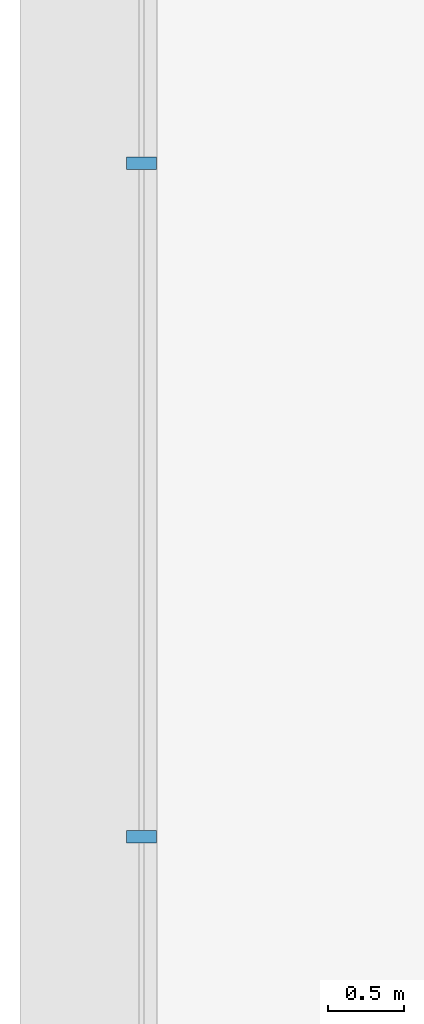
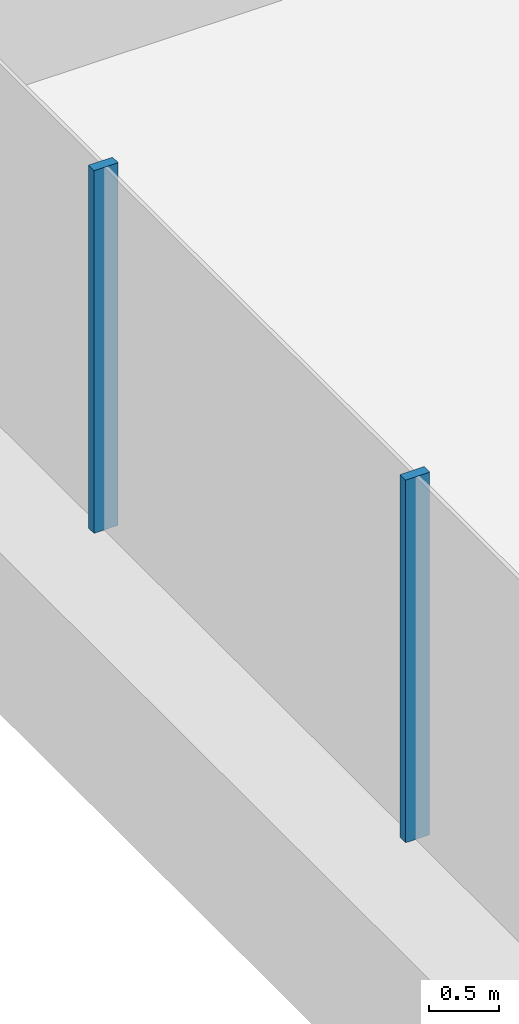
# One storey, part 6 of 38: 2 members, 1 element without a shape of its own.
"""IFC4 building model written with IfcOpenShell, lengths in metres."""

from ifc_helpers import new_model, si_unit, direction, frame, origin, origin_2d, place, context, subcontext, project, spatial, rectangle, extrude, material, layer, layer_set, material_profile, profile_set, type_object, element, aggregate, save


model = new_model("IFC4")

# Units and contexts
model_context = context("Model", 3, precision=1e-05, world=origin(), true_north=direction((0.0, 1.0)))
body_context = subcontext(model_context, "Body", "Model", "MODEL_VIEW")
ifc_project = project(units=[si_unit("LENGTHUNIT", "METRE"), si_unit("AREAUNIT", "SQUARE_METRE"), si_unit("VOLUMEUNIT", "CUBIC_METRE"), si_unit("PLANEANGLEUNIT", "RADIAN"), si_unit("MASSUNIT", "GRAM", prefix="KILO")], contexts=[model_context])

# Site, building, storey
site_placement = place(None, origin())
site = spatial("IfcSite", under=ifc_project, at=site_placement, CompositionType="ELEMENT")
building_placement = place(site_placement, origin())
building = spatial("IfcBuilding", under=site, at=building_placement, Name="Tamarind Cross Interchange Tower", CompositionType="ELEMENT")
storey_placement = place(building_placement, frame((0.0, 0.0, 20.0)))
storey = spatial("IfcBuildingStorey", under=building, at=storey_placement, Name="L03", CompositionType="ELEMENT", Elevation=20.0)

# Curtain wall, members
ifc_material = material(Name="Aluminium 6063-T6", Category="aluminium")
ifc_layer = layer(ifc_material, 0.199951171875)
ifc_layer_set = layer_set([ifc_layer], Name="Aluminium 6063-T6")
curtain_wall_type = type_object("IfcCurtainWallType", Name="Podium shopfront and station curtain wall", PredefinedType="NOTDEFINED", material=ifc_layer_set)
curtain_wall_placement = place(storey_placement, origin())
curtain_wall = element("IfcCurtainWall", 1, at=curtain_wall_placement, inside=storey, type_object=curtain_wall_type, Name="CWS-L03-04", PredefinedType="NOTDEFINED")
ifc_material_profile = material_profile(ifc_material, rectangle(XDim=0.080078125, YDim=0.199951171875, at=origin_2d()), Name="Mullion CW3")
ifc_profile_set = profile_set([ifc_material_profile], Name="Aluminium 6063-T6")
member_type = type_object("IfcMemberType", Name="Mullion CW3", PredefinedType="MULLION", material=ifc_profile_set)
member_1_placement = place(storey_placement, frame((-63.800048828125, 6.650146484375, 1.39990234375), z_axis=(0.0, 0.0, 1.0), x_axis=(0.0, -1.0, 0.0)))
member_1 = element("IfcMember", 2, at=member_1_placement, type_object=member_type, Name="CWM-L03-04-10", PredefinedType="MULLION", context=body_context, shape_type="SweptSolid", body=[
    extrude(rectangle(XDim=0.080078125, YDim=0.199951171875, at=origin_2d()), origin(), (0.0, 0.0, 1.0), 3.150146484375),
])
member_2_placement = place(storey_placement, frame((-63.800048828125, 2.216796875, 1.39990234375), z_axis=(0.0, 0.0, 1.0), x_axis=(0.0, -1.0, 0.0)))
member_2 = element("IfcMember", 3, at=member_2_placement, type_object=member_type, Name="CWM-L03-04-11", PredefinedType="MULLION", context=body_context, shape_type="SweptSolid", body=[
    extrude(rectangle(XDim=0.080078125, YDim=0.199951171875, at=origin_2d()), origin(), (0.0, 0.0, 1.0), 3.150146484375),
])
aggregate(curtain_wall, [member_1, member_2])

save(model, "model.ifc")
